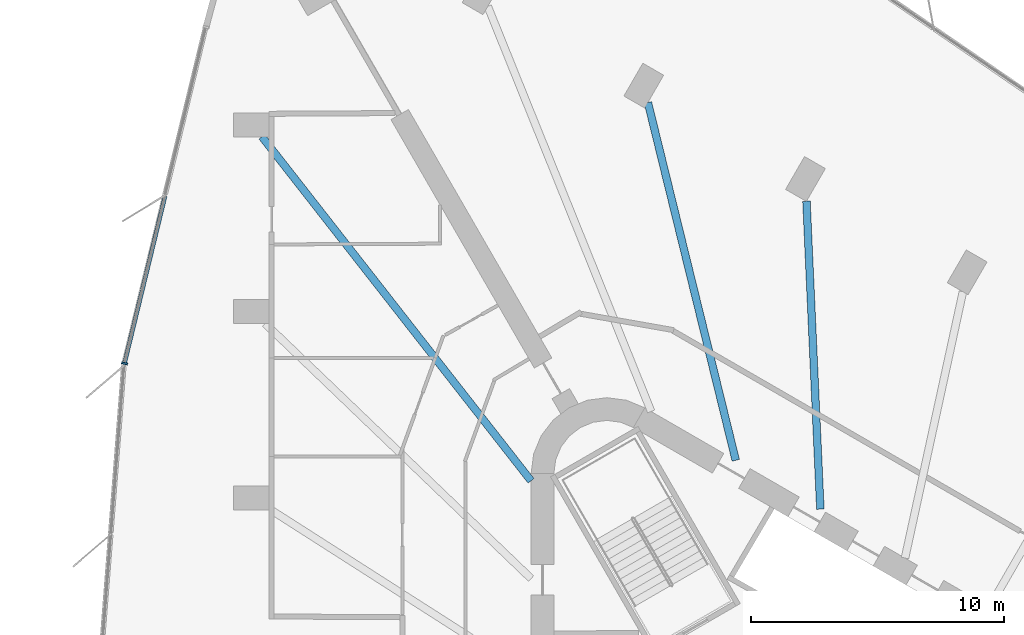
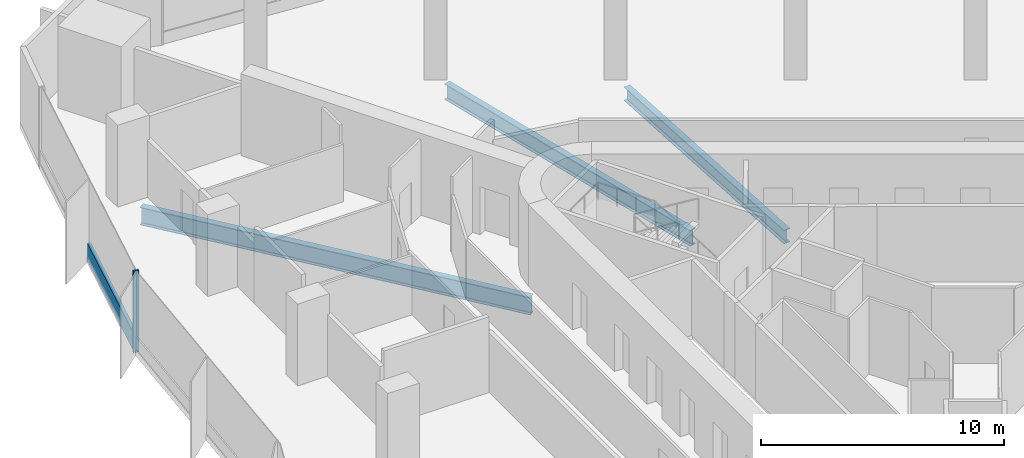
# One storey, part 4 of 14: 3 beams, 2 members, 1 element without a shape of its own.
"""IFC4 building model written with IfcOpenShell, lengths in metres."""

from ifc_helpers import new_model, si_unit, direction, frame, origin, origin_2d, place, context, subcontext, project, spatial, rectangle, i_section, extrude, material, material_profile, profile_set, type_object, element, aggregate, save


model = new_model("IFC4")

# Units and contexts
model_context = context("Model", 3, precision=1e-05, world=origin(), true_north=direction((0.0, 1.0)))
body_context = subcontext(model_context, "Body", "Model", "MODEL_VIEW")
ifc_project = project(units=[si_unit("LENGTHUNIT", "METRE"), si_unit("AREAUNIT", "SQUARE_METRE"), si_unit("VOLUMEUNIT", "CUBIC_METRE"), si_unit("PLANEANGLEUNIT", "RADIAN"), si_unit("MASSUNIT", "GRAM", prefix="KILO")], contexts=[model_context])

# Site, building, storey
site_placement = place(None, origin())
site = spatial("IfcSite", under=ifc_project, at=site_placement, CompositionType="ELEMENT")
building_placement = place(site_placement, origin())
building = spatial("IfcBuilding", under=site, at=building_placement, Name="Tanit Gate Tower", CompositionType="ELEMENT")
storey_placement = place(building_placement, frame((0.0, 0.0, 90.60009765625)))
storey = spatial("IfcBuildingStorey", under=building, at=storey_placement, Name="L18", CompositionType="ELEMENT", Elevation=90.60009765625)

# Curtain wall, member
ifc_material_1 = material(Name="Aluminium bronze anodised and glass", Category="aluminium")
curtain_wall_type = type_object("IfcCurtainWallType", Name="Curtain wall typical low", PredefinedType="NOTDEFINED", material=ifc_material_1)
curtain_wall_placement = place(storey_placement, origin())
curtain_wall = element("IfcCurtainWall", 1, at=curtain_wall_placement, inside=storey, type_object=curtain_wall_type, Name="Curtain wall L18 W1", PredefinedType="NOTDEFINED")
ifc_material_2 = material(Name="Aluminium bronze anodised", Category="aluminium")
ifc_material_profile_1 = material_profile(ifc_material_2, rectangle(XDim=0.239990234375, YDim=0.080078125, at=origin_2d()), Name="80x240 bronze mullion")
ifc_profile_set_1 = profile_set([ifc_material_profile_1], Name="Aluminium bronze anodised")
member_type_1 = type_object("IfcMemberType", Name="Mullion 80x240 typical low", PredefinedType="MULLION", material=ifc_profile_set_1)
member_1_placement = place(storey_placement, frame((-28.197265625, 20.120361328125, -0.300048828125), z_axis=(0.0, 0.0, 1.0), x_axis=(0.971845678209, -0.235618288228, 0.0)))
member_1 = element("IfcMember", 2, at=member_1_placement, type_object=member_type_1, Name="Mullion L18 W1.3", PredefinedType="MULLION", context=body_context, shape_type="SweptSolid", body=[
    extrude(rectangle(XDim=0.239990234375, YDim=0.080078125, at=origin_2d()), origin(), (0.0, 0.0, 1.0), 4.099853515625),
])

# Beams
ifc_material_3 = material(Name="Steel S355", Category="steel")
ifc_material_profile_2 = material_profile(ifc_material_3, i_section(OverallWidth=0.300048828125, OverallDepth=0.68994140625, WebThickness=0.014404296875, FlangeThickness=0.027099609375, FilletRadius=0.027099609375, at=origin_2d()), Name="HEA 700")
ifc_profile_set_2 = profile_set([ifc_material_profile_2], Name="Steel S355")
beam_type_1 = type_object("IfcBeamType", Name="RADIAL GIRDER HEA 700 S355", PredefinedType="BEAM", material=ifc_profile_set_2)
beam_1_placement = place(storey_placement, frame((-1.19921875, 26.538818359375, -0.64501953125), z_axis=(0.045135401382, -0.998980878467, 0.0), x_axis=(0.998980878467, 0.045135401382, 0.0)))
element("IfcBeam", 3, at=beam_1_placement, inside=storey, type_object=beam_type_1, Name="RADIAL GIRDER", PredefinedType="BEAM", context=body_context, shape_type="SweptSolid", body=[
    extrude(i_section(OverallWidth=0.300048828125, OverallDepth=0.68994140625, WebThickness=0.014404296875, FlangeThickness=0.027099609375, FilletRadius=0.027099609375, at=origin_2d()), origin(), (0.0, 0.0, 1.0), 12.202880859375),
])
ifc_material_4 = material(Name="Steel S355", Category="steel")
ifc_material_profile_3 = material_profile(ifc_material_4, i_section(OverallWidth=0.300048828125, OverallDepth=0.7900390625, WebThickness=0.014892578125, FlangeThickness=0.028076171875, FilletRadius=0.030029296875, at=origin_2d()), Name="HEA 800")
ifc_profile_set_3 = profile_set([ifc_material_profile_3], Name="Steel S355")
beam_type_2 = type_object("IfcBeamType", Name="RADIAL GIRDER HEA 800 S355", PredefinedType="BEAM", material=ifc_profile_set_3)
beam_2_placement = place(storey_placement, frame((-7.476318359375, 30.44921875, -0.695068359375), z_axis=(0.238441937153, -0.97115675491, 0.0), x_axis=(0.97115675491, 0.238441937153, 0.0)))
element("IfcBeam", 4, at=beam_2_placement, inside=storey, type_object=beam_type_2, Name="RADIAL GIRDER", PredefinedType="BEAM", context=body_context, shape_type="SweptSolid", body=[
    extrude(i_section(OverallWidth=0.300048828125, OverallDepth=0.7900390625, WebThickness=0.014892578125, FlangeThickness=0.028076171875, FilletRadius=0.030029296875, at=origin_2d()), origin(), (0.0, 0.0, 1.0), 14.58740234375),
])
ifc_material_5 = material(Name="Steel S355", Category="steel")
ifc_material_profile_4 = material_profile(ifc_material_5, i_section(OverallWidth=0.300048828125, OverallDepth=0.889892578125, WebThickness=0.01611328125, FlangeThickness=0.030029296875, FilletRadius=0.030029296875, at=origin_2d()), Name="HEA 900")
ifc_profile_set_4 = profile_set([ifc_material_profile_4], Name="Steel S355")
beam_type_3 = type_object("IfcBeamType", Name="RADIAL GIRDER HEA 900 S355", PredefinedType="BEAM", material=ifc_profile_set_4)
beam_3_placement = place(storey_placement, frame((-22.755126953125, 29.0908203125, -0.7451171875), z_axis=(0.616108365998, -0.787661400188, 0.0), x_axis=(0.787661400188, 0.616108365998, 0.0)))
element("IfcBeam", 5, at=beam_3_placement, inside=storey, type_object=beam_type_3, Name="RADIAL GIRDER", PredefinedType="BEAM", context=body_context, shape_type="SweptSolid", body=[
    extrude(i_section(OverallWidth=0.300048828125, OverallDepth=0.889892578125, WebThickness=0.01611328125, FlangeThickness=0.030029296875, FilletRadius=0.030029296875, at=origin_2d()), origin(), (0.0, 0.0, 1.0), 17.291015625),
])

# Member
ifc_material_6 = material(Name="Aluminium bronze anodised", Category="aluminium")
ifc_material_profile_5 = material_profile(ifc_material_6, rectangle(XDim=0.159912109375, YDim=0.89990234375, at=origin_2d()), Name="160x900 bronze transom")
ifc_profile_set_5 = profile_set([ifc_material_profile_5], Name="Aluminium bronze anodised")
member_type_2 = type_object("IfcMemberType", Name="Transom 160x900 typical low", PredefinedType="USERDEFINED", material=ifc_profile_set_5)
member_2_placement = place(storey_placement, frame((-26.593017578125, 26.7373046875, 0.14990234375), z_axis=(-0.235638221576, -0.971840845269, 0.0), x_axis=(0.971840845269, -0.235638221576, 0.0)))
member_2 = element("IfcMember", 6, at=member_2_placement, type_object=member_type_2, Name="Transom L18 W1.2", ObjectType="TRANSOM", PredefinedType="USERDEFINED", context=body_context, shape_type="SweptSolid", body=[
    extrude(rectangle(XDim=0.159912109375, YDim=0.89990234375, at=origin_2d()), origin(), (0.0, 0.0, 1.0), 6.768798828125),
])

aggregate(curtain_wall, [member_1, member_2])

save(model, "model.ifc")
